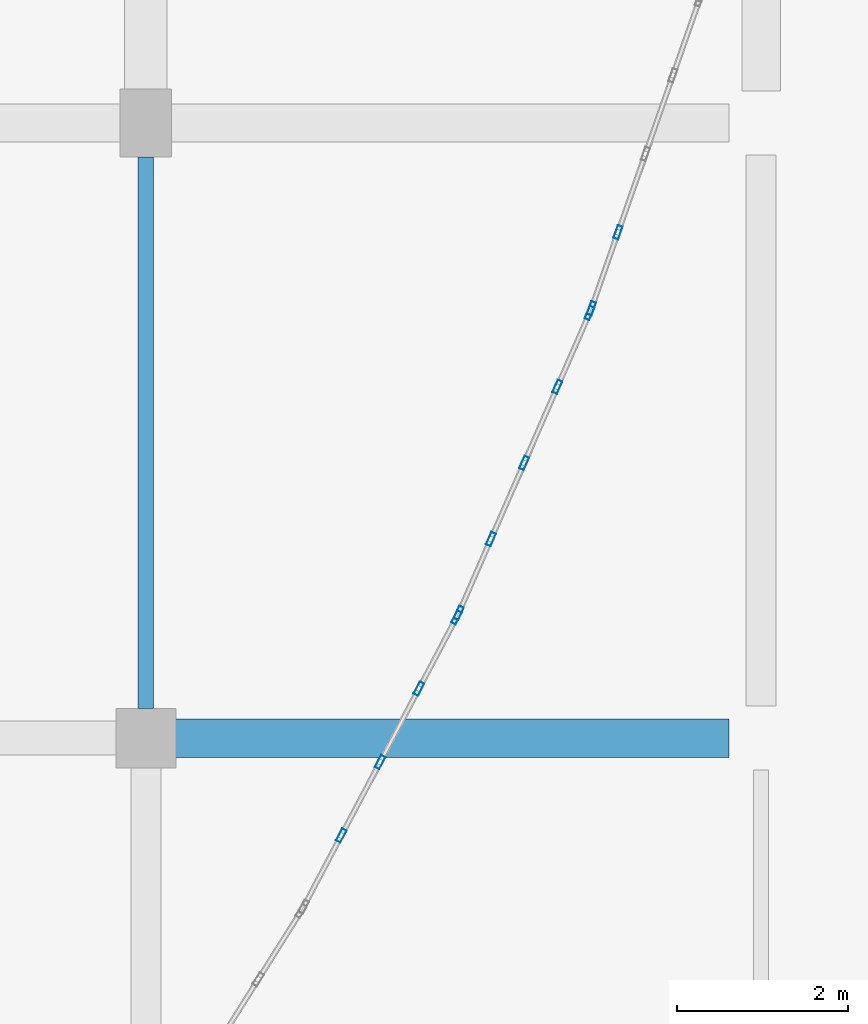
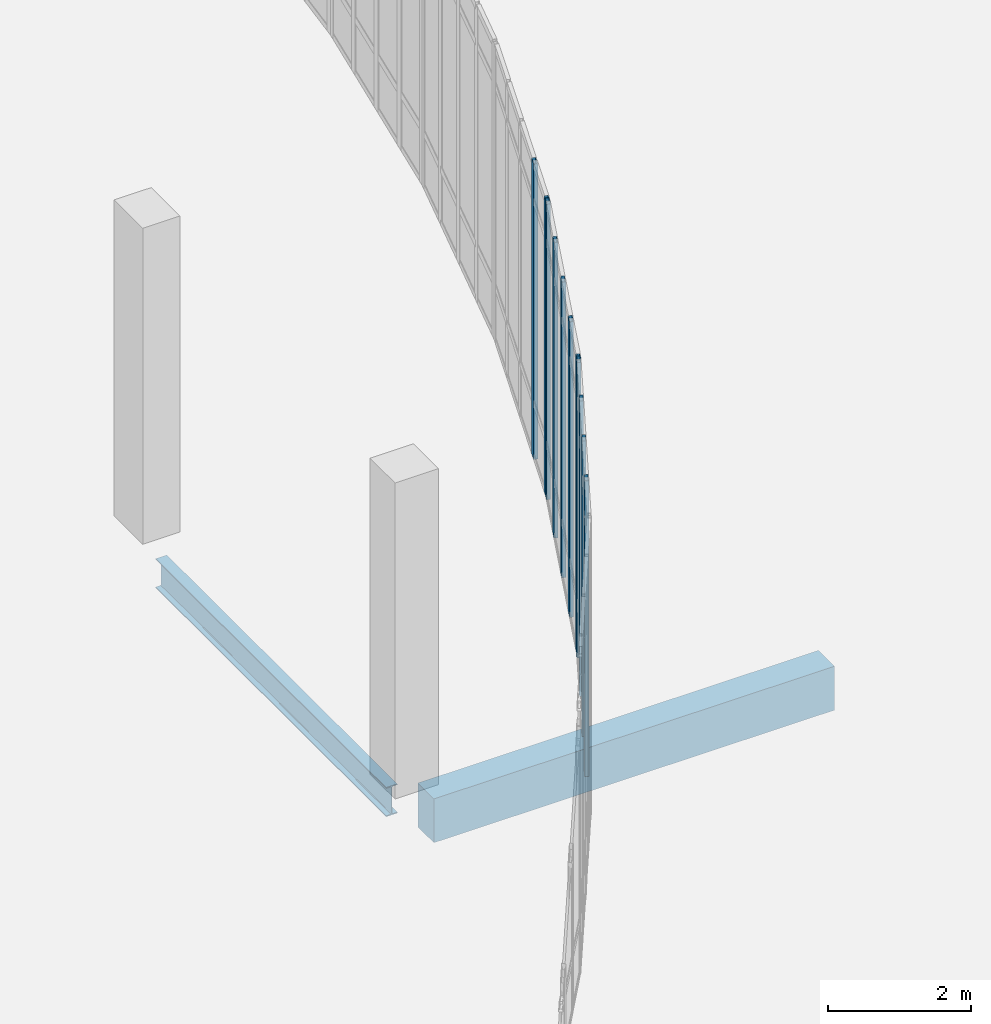
# One storey, part 45 of 110: 11 members, 2 beams, 3 elements without a shape of their own.
"""IFC4 building model written with IfcOpenShell, lengths in metres."""

from ifc_helpers import new_model, si_unit, direction, frame, origin, origin_2d, place, context, subcontext, project, spatial, rectangle, hollow_rectangle, i_section, extrude, material, material_profile, profile_set, type_object, element, aggregate, save


model = new_model("IFC4")

# Units and contexts
model_context = context("Model", 3, precision=1e-05, world=origin(), true_north=direction((0.0, 1.0)))
body_context = subcontext(model_context, "Body", "Model", "MODEL_VIEW")
ifc_project = project(units=[si_unit("LENGTHUNIT", "METRE"), si_unit("AREAUNIT", "SQUARE_METRE"), si_unit("VOLUMEUNIT", "CUBIC_METRE"), si_unit("PLANEANGLEUNIT", "RADIAN"), si_unit("MASSUNIT", "GRAM", prefix="KILO")], contexts=[model_context])

# Site, building, storey
site_placement = place(None, origin())
site = spatial("IfcSite", under=ifc_project, at=site_placement, CompositionType="ELEMENT")
building_placement = place(site_placement, origin())
building = spatial("IfcBuilding", under=site, at=building_placement, Name="Kalluvel Institute of Natural Sciences", CompositionType="ELEMENT")
storey_placement = place(building_placement, origin())
storey = spatial("IfcBuildingStorey", under=building, at=storey_placement, Name="L00", CompositionType="ELEMENT", Elevation=0.0)

# Beams
ifc_material_1 = material(Name="Steel E350 Grade 350", Category="steel")
ifc_material_profile_1 = material_profile(ifc_material_1, i_section(OverallWidth=0.179931640625, OverallDepth=0.5, WebThickness=0.01025390625, FlangeThickness=0.01708984375, FilletRadius=0.01708984375, at=origin_2d()), Name="ISMB 500")
ifc_profile_set_1 = profile_set([ifc_material_profile_1], Name="Steel E350 Grade 350")
beam_type_1 = type_object("IfcBeamType", Name="BM-ISMB500", PredefinedType="BEAM", material=ifc_profile_set_1)
beam_1_placement = place(storey_placement, frame((78.800048828125, 79.14990234375, -0.570068359375), z_axis=(0.0, 1.0, 0.0), x_axis=(-1.0, 0.0, 0.0)))
element("IfcBeam", 1, at=beam_1_placement, inside=storey, type_object=beam_type_1, Name="L00 girder GIR-L00-NS-X788-Y788", PredefinedType="BEAM", context=body_context, shape_type="SweptSolid", body=[
    extrude(i_section(OverallWidth=0.179931640625, OverallDepth=0.5, WebThickness=0.01025390625, FlangeThickness=0.01708984375, FilletRadius=0.01708984375, at=origin_2d()), origin(), (0.0, 0.0, 1.0), 6.4501953125),
])
ifc_material_2 = material(Name="Concrete M40", Category="concrete")
ifc_material_profile_2 = material_profile(ifc_material_2, rectangle(XDim=0.449951171875, YDim=0.75, at=origin_2d()), Name="RCB 450x750")
ifc_profile_set_2 = profile_set([ifc_material_profile_2], Name="Concrete M40")
beam_type_2 = type_object("IfcBeamType", Name="BM-RC450x750", PredefinedType="BEAM", material=ifc_profile_set_2)
beam_2_placement = place(storey_placement, frame((79.14990234375, 78.800048828125, -0.695068359375), z_axis=(1.0, 0.0, 0.0), x_axis=(0.0, 1.0, 0.0)))
element("IfcBeam", 2, at=beam_2_placement, inside=storey, type_object=beam_type_2, Name="L00 girder GIR-L00-EW-X788-Y788", PredefinedType="BEAM", context=body_context, shape_type="SweptSolid", body=[
    extrude(rectangle(XDim=0.449951171875, YDim=0.75, at=origin_2d()), origin(), (0.0, 0.0, 1.0), 6.47509765625),
])

# Curtain wall, members
ifc_material_3 = material(Name="Aluminium AW-6063 T6", Category="aluminium")
curtain_wall_type = type_object("IfcCurtainWallType", Name="CW-ATR-L00", PredefinedType="USERDEFINED", material=ifc_material_3)
curtain_wall_1_placement = place(storey_placement, origin())
curtain_wall_1 = element("IfcCurtainWall", 3, at=curtain_wall_1_placement, inside=storey, type_object=curtain_wall_type, Name="L00 Gothic lancet curtain wall CWA-L00-X806-Y768", ObjectType="UNITISED LANCET FACADE", PredefinedType="USERDEFINED")
ifc_material_profile_3 = material_profile(ifc_material_3, hollow_rectangle(XDim=0.06005859375, YDim=0.159912109375, WallThickness=0.00390625, at=origin_2d()), Name="CWM 60x160")
ifc_profile_set_3 = profile_set([ifc_material_profile_3], Name="Aluminium AW-6063 T6")
member_type = type_object("IfcMemberType", Name="CWM-60x160", PredefinedType="MULLION", material=ifc_profile_set_3)
member_1_placement = place(storey_placement, frame((81.087646484375, 77.659423828125, 0.0), z_axis=(0.0, 0.0, 1.0), x_axis=(-0.884108599764, 0.467281482432, 0.0)))
member_1 = element("IfcMember", 4, at=member_1_placement, type_object=member_type, Name="CW-06 mullion 2", PredefinedType="MULLION", context=body_context, shape_type="SweptSolid", body=[
    extrude(hollow_rectangle(XDim=0.06005859375, YDim=0.159912109375, WallThickness=0.00390625, at=origin_2d()), origin(), (0.0, 0.0, 1.0), 5.050048828125),
])
member_2_placement = place(storey_placement, frame((81.541748046875, 78.51904296875, 0.0), z_axis=(0.0, 0.0, 1.0), x_axis=(-0.884108599764, 0.467281482432, 0.0)))
member_2 = element("IfcMember", 5, at=member_2_placement, type_object=member_type, Name="CW-06 mullion 3", PredefinedType="MULLION", context=body_context, shape_type="SweptSolid", body=[
    extrude(hollow_rectangle(XDim=0.06005859375, YDim=0.159912109375, WallThickness=0.00390625, at=origin_2d()), origin(), (0.0, 0.0, 1.0), 5.050048828125),
])
member_3_placement = place(storey_placement, frame((81.99609375, 79.37841796875, 0.0), z_axis=(0.0, 0.0, 1.0), x_axis=(-0.884108599764, 0.467281482432, 0.0)))
member_3 = element("IfcMember", 6, at=member_3_placement, type_object=member_type, Name="CW-06 mullion 4", PredefinedType="MULLION", context=body_context, shape_type="SweptSolid", body=[
    extrude(hollow_rectangle(XDim=0.06005859375, YDim=0.159912109375, WallThickness=0.00390625, at=origin_2d()), origin(), (0.0, 0.0, 1.0), 5.050048828125),
])
member_4_placement = place(storey_placement, frame((82.436279296875, 80.21142578125, 0.0), z_axis=(0.0, 0.0, 1.0), x_axis=(-0.884108599764, 0.467281482432, 0.0)))
member_4 = element("IfcMember", 7, at=member_4_placement, type_object=member_type, Name="CW-06 mullion 5", PredefinedType="MULLION", context=body_context, shape_type="SweptSolid", body=[
    extrude(hollow_rectangle(XDim=0.06005859375, YDim=0.159912109375, WallThickness=0.00390625, at=origin_2d()), origin(), (0.0, 0.0, 1.0), 5.050048828125),
])
aggregate(curtain_wall_1, [member_1, member_2, member_3, member_4])

curtain_wall_2_placement = place(storey_placement, origin())
curtain_wall_2 = element("IfcCurtainWall", 8, at=curtain_wall_2_placement, inside=storey, type_object=curtain_wall_type, Name="L00 Gothic lancet curtain wall CWA-L00-X825-Y802", ObjectType="UNITISED LANCET FACADE", PredefinedType="USERDEFINED")
member_5_placement = place(storey_placement, frame((82.46240234375, 80.265380859375, 0.0), z_axis=(0.0, 0.0, 1.0), x_axis=(-0.916570568151, 0.399872971829, 0.0)))
member_5 = element("IfcMember", 9, at=member_5_placement, type_object=member_type, Name="CW-06 mullion 1", PredefinedType="MULLION", context=body_context, shape_type="SweptSolid", body=[
    extrude(hollow_rectangle(XDim=0.06005859375, YDim=0.159912109375, WallThickness=0.00390625, at=origin_2d()), origin(), (0.0, 0.0, 1.0), 5.050048828125),
])
member_6_placement = place(storey_placement, frame((82.839111328125, 81.129150390625, 0.0), z_axis=(0.0, 0.0, 1.0), x_axis=(-0.916570568151, 0.399872971829, 0.0)))
member_6 = element("IfcMember", 10, at=member_6_placement, type_object=member_type, Name="CW-06 mullion 2", PredefinedType="MULLION", context=body_context, shape_type="SweptSolid", body=[
    extrude(hollow_rectangle(XDim=0.06005859375, YDim=0.159912109375, WallThickness=0.00390625, at=origin_2d()), origin(), (0.0, 0.0, 1.0), 5.050048828125),
])
member_7_placement = place(storey_placement, frame((83.227783203125, 82.020263671875, 0.0), z_axis=(0.0, 0.0, 1.0), x_axis=(-0.916570568151, 0.399872971829, 0.0)))
member_7 = element("IfcMember", 11, at=member_7_placement, type_object=member_type, Name="CW-06 mullion 3", PredefinedType="MULLION", context=body_context, shape_type="SweptSolid", body=[
    extrude(hollow_rectangle(XDim=0.06005859375, YDim=0.159912109375, WallThickness=0.00390625, at=origin_2d()), origin(), (0.0, 0.0, 1.0), 5.050048828125),
])
member_8_placement = place(storey_placement, frame((83.61669921875, 82.9111328125, 0.0), z_axis=(0.0, 0.0, 1.0), x_axis=(-0.916570568151, 0.399872971829, 0.0)))
member_8 = element("IfcMember", 12, at=member_8_placement, type_object=member_type, Name="CW-06 mullion 4", PredefinedType="MULLION", context=body_context, shape_type="SweptSolid", body=[
    extrude(hollow_rectangle(XDim=0.06005859375, YDim=0.159912109375, WallThickness=0.00390625, at=origin_2d()), origin(), (0.0, 0.0, 1.0), 5.050048828125),
])
member_9_placement = place(storey_placement, frame((83.993408203125, 83.77490234375, 0.0), z_axis=(0.0, 0.0, 1.0), x_axis=(-0.916570568151, 0.399872971829, 0.0)))
member_9 = element("IfcMember", 13, at=member_9_placement, type_object=member_type, Name="CW-06 mullion 5", PredefinedType="MULLION", context=body_context, shape_type="SweptSolid", body=[
    extrude(hollow_rectangle(XDim=0.06005859375, YDim=0.159912109375, WallThickness=0.00390625, at=origin_2d()), origin(), (0.0, 0.0, 1.0), 5.050048828125),
])
aggregate(curtain_wall_2, [member_5, member_6, member_7, member_8, member_9])

curtain_wall_3_placement = place(storey_placement, origin())
curtain_wall_3 = element("IfcCurtainWall", 14, at=curtain_wall_3_placement, inside=storey, type_object=curtain_wall_type, Name="L00 Gothic lancet curtain wall CWA-L00-X840-Y838", ObjectType="UNITISED LANCET FACADE", PredefinedType="USERDEFINED")
member_10_placement = place(storey_placement, frame((84.015380859375, 83.83056640625, 0.0), z_axis=(0.0, 0.0, 1.0), x_axis=(-0.943877598761, 0.330295441321, 0.0)))
member_10 = element("IfcMember", 15, at=member_10_placement, type_object=member_type, Name="CW-06 mullion 1", PredefinedType="MULLION", context=body_context, shape_type="SweptSolid", body=[
    extrude(hollow_rectangle(XDim=0.06005859375, YDim=0.159912109375, WallThickness=0.00390625, at=origin_2d()), origin(), (0.0, 0.0, 1.0), 5.050048828125),
])
member_11_placement = place(storey_placement, frame((84.326416015625, 84.719970703125, 0.0), z_axis=(0.0, 0.0, 1.0), x_axis=(-0.943877598761, 0.330295441321, 0.0)))
member_11 = element("IfcMember", 16, at=member_11_placement, type_object=member_type, Name="CW-06 mullion 2", PredefinedType="MULLION", context=body_context, shape_type="SweptSolid", body=[
    extrude(hollow_rectangle(XDim=0.06005859375, YDim=0.159912109375, WallThickness=0.00390625, at=origin_2d()), origin(), (0.0, 0.0, 1.0), 5.050048828125),
])
aggregate(curtain_wall_3, [member_10, member_11])

save(model, "model.ifc")
